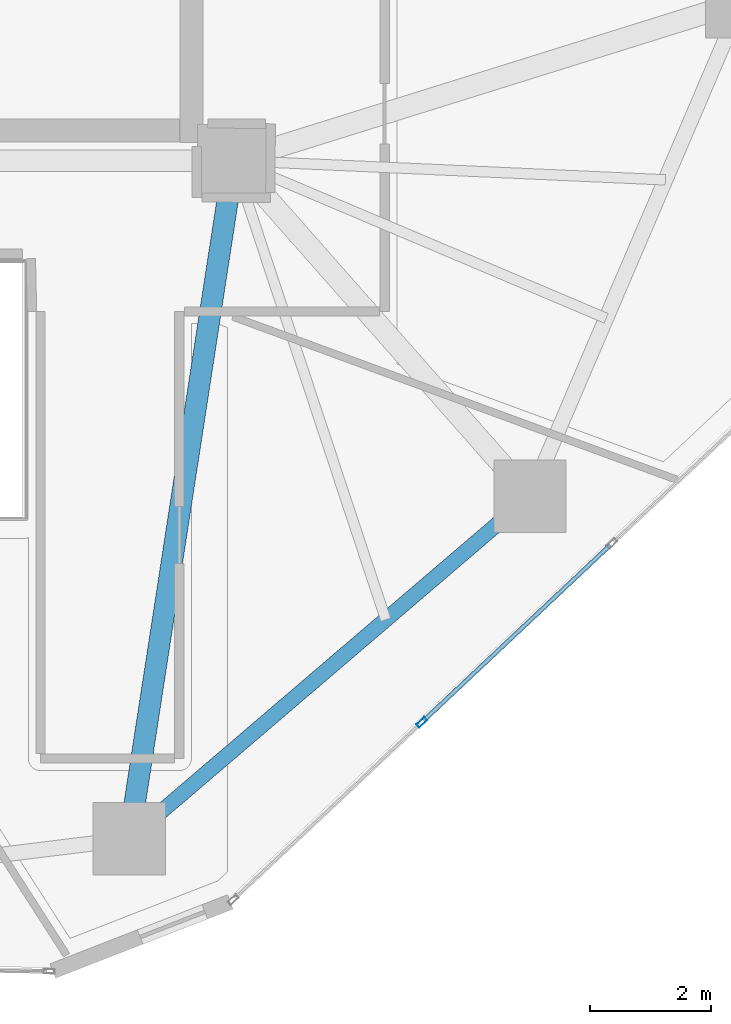
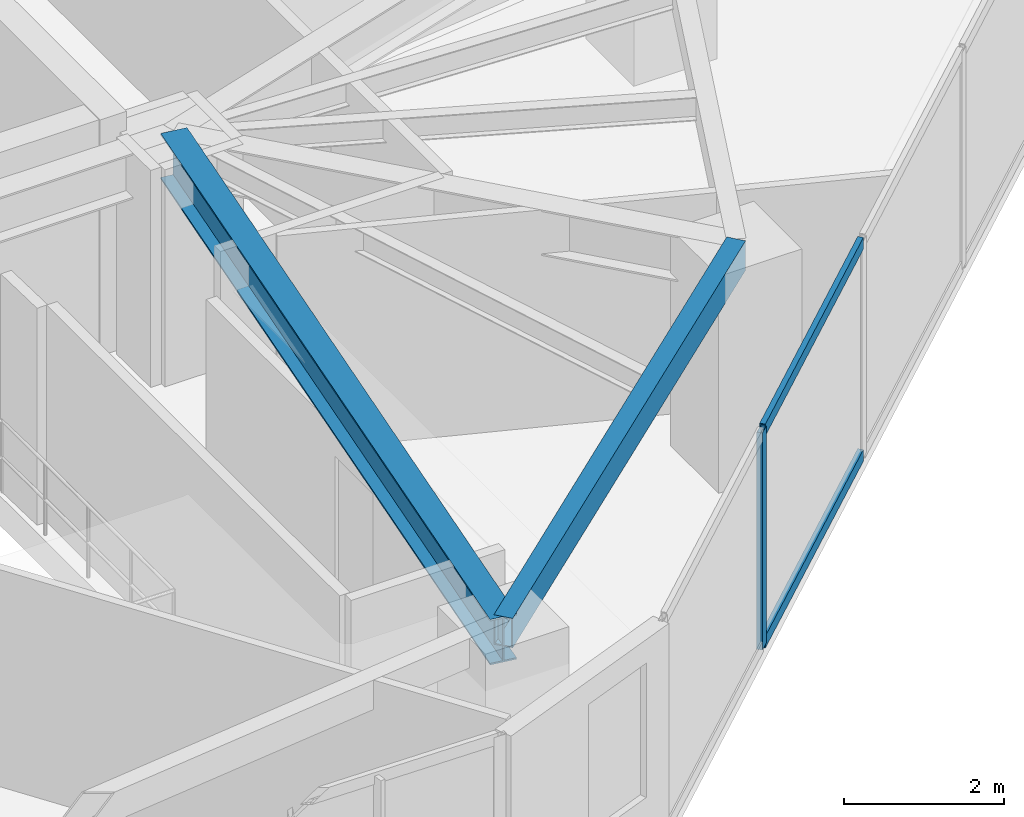
# One storey, part 7 of 22: 3 members, 2 beams, 1 element without a shape of its own.
"""IFC4 building model written with IfcOpenShell, lengths in metres."""

from ifc_helpers import new_model, si_unit, direction, frame, origin, origin_2d, place, context, subcontext, project, spatial, hollow_rectangle, i_section, extrude, source, transform, mapped, material, layer, layer_set, material_profile, profile_set, type_object, type_shapes, element, aggregate, save


model = new_model("IFC4")

# Units and contexts
model_context = context("Model", 3, precision=1e-05, world=origin(), true_north=direction((0.0, 1.0)))
body_context = subcontext(model_context, "Body", "Model", "MODEL_VIEW")
ifc_project = project(units=[si_unit("LENGTHUNIT", "METRE"), si_unit("AREAUNIT", "SQUARE_METRE"), si_unit("VOLUMEUNIT", "CUBIC_METRE"), si_unit("PLANEANGLEUNIT", "RADIAN"), si_unit("MASSUNIT", "GRAM", prefix="KILO")], contexts=[model_context])

# Site, building, storey
site_placement = place(None, origin())
site = spatial("IfcSite", under=ifc_project, at=site_placement, CompositionType="ELEMENT")
building_placement = place(site_placement, origin())
building = spatial("IfcBuilding", under=site, at=building_placement, Name="Talar Marvaseh", CompositionType="ELEMENT")
storey_placement = place(building_placement, frame((0.0, 0.0, 89.39990234375)))
storey = spatial("IfcBuildingStorey", under=building, at=storey_placement, Name="L22", CompositionType="ELEMENT", Elevation=89.39990234375)

# Beams
ifc_material_1 = material(Name="Steel S355", Category="steel")
ifc_material_profile_1 = material_profile(ifc_material_1, hollow_rectangle(XDim=0.25, YDim=0.449951171875, WallThickness=0.01611328125, at=origin_2d()), Name="RHS450x250x16")
ifc_profile_set_1 = profile_set([ifc_material_profile_1], Name="Steel S355")
beam_type_1 = type_object("IfcBeamType", Name="Zone 2 Perimeter Spandrel Beam RHS450x250x16", PredefinedType="SPANDREL", material=ifc_profile_set_1)
beam_1_placement = place(storey_placement, frame((38.2060546875, 19.94091796875, 3.085205078125), z_axis=(-0.76011265597, -0.649791312833, 0.0), x_axis=(0.649791312833, -0.76011265597, 0.0)))
element("IfcBeam", 1, at=beam_1_placement, inside=storey, type_object=beam_type_1, Name="L22 Zone 2 Perimeter Spandrel Beam RHS450x250x16", PredefinedType="SPANDREL", context=body_context, shape_type="SweptSolid", body=[
    extrude(hollow_rectangle(XDim=0.25, YDim=0.449951171875, WallThickness=0.01611328125, at=origin_2d()), origin(), (0.0, 0.0, 1.0), 8.730224609375),
])
ifc_material_profile_2 = material_profile(ifc_material_1, i_section(OverallWidth=0.35498046875, OverallDepth=0.695068359375, WebThickness=0.015380859375, FlangeThickness=0.02490234375, at=origin_2d()), Name="W690x217")
ifc_profile_set_2 = profile_set([ifc_material_profile_2], Name="Steel S355")
beam_type_2 = type_object("IfcBeamType", Name="Zone 2 Radial Floor Girder W690x217", PredefinedType="BEAM", material=ifc_profile_set_2)
beam_2_placement = place(storey_placement, frame((31.570068359375, 14.26806640625, 2.962646484375), z_axis=(0.152228300633, 0.98834535689, 0.0), x_axis=(-0.98834535689, 0.152228300633, 0.0)))
element("IfcBeam", 2, at=beam_2_placement, inside=storey, type_object=beam_type_2, Name="L22 Zone 2 Radial Floor Girder W690x217", PredefinedType="BEAM", context=body_context, shape_type="SweptSolid", body=[
    extrude(i_section(OverallWidth=0.35498046875, OverallDepth=0.695068359375, WebThickness=0.015380859375, FlangeThickness=0.02490234375, at=origin_2d()), origin(), (0.0, 0.0, 1.0), 11.364501953125),
])

# Curtain wall, members
ifc_material_2 = material(Name="Architectural Aluminium", Category="aluminium")
ifc_layer = layer(ifc_material_2, 0.199951171875)
ifc_layer_set = layer_set([ifc_layer], Name="Architectural Aluminium")
curtain_wall_type = type_object("IfcCurtainWallType", Name="Unitised Acoustic Library Curtain Wall Z2", PredefinedType="NOTDEFINED", material=ifc_layer_set)
curtain_wall_placement = place(storey_placement, origin())
curtain_wall = element("IfcCurtainWall", 3, at=curtain_wall_placement, inside=storey, type_object=curtain_wall_type, Name="L22 Unitised Acoustic Library Curtain Wall Z2", PredefinedType="NOTDEFINED")
ifc_material_profile_3 = material_profile(ifc_material_2, hollow_rectangle(XDim=0.074951171875, YDim=0.179931640625, WallThickness=0.0048828125, at=origin_2d()), Name="RHS180x75x5")
ifc_profile_set_3 = profile_set([ifc_material_profile_3], Name="Architectural Aluminium")
member_type_1 = type_object("IfcMemberType", Name="Unitised Curtain Wall Standard Mullion RHS180x75x5", PredefinedType="MULLION", material=ifc_profile_set_3)
shared_shape_1 = source(origin(), body_context, "Body", "SweptSolid", [
    extrude(hollow_rectangle(XDim=0.074951171875, YDim=0.179931640625, WallThickness=0.0048828125, at=origin_2d()), origin(), (0.0, 0.0, 1.0), 3.31005859375),
])
type_shapes(member_type_1, [shared_shape_1])
member_1_placement = place(storey_placement, frame((36.4130859375, 16.198486328125, 0.0), z_axis=(0.0, 0.0, 1.0), x_axis=(0.685069131718, -0.728478060594, 0.0)))
member_1 = element("IfcMember", 4, at=member_1_placement, type_object=member_type_1, Name="CW-Z2 mullion 5", PredefinedType="MULLION", context=body_context, shape_type="MappedRepresentation", body=[
    mapped(shared_shape_1, transform((0.0, 0.0, 0.0), x_axis=(1.0, 0.0, 0.0), y_axis=(0.0, 1.0, 0.0), z_axis=(0.0, 0.0, 1.0), scale=1.0)),
])
ifc_material_profile_4 = material_profile(ifc_material_2, hollow_rectangle(XDim=0.074951171875, YDim=0.179931640625, WallThickness=0.0048828125, at=origin_2d()), Name="RHS180x75x5")
ifc_profile_set_4 = profile_set([ifc_material_profile_4], Name="Architectural Aluminium")
member_type_2 = type_object("IfcMemberType", Name="Unitised Curtain Wall Transom RHS180x75x5", PredefinedType="USERDEFINED", material=ifc_profile_set_4)
shared_shape_2 = source(origin(), body_context, "Body", "SweptSolid", [
    extrude(hollow_rectangle(XDim=0.074951171875, YDim=0.179931640625, WallThickness=0.0048828125, at=origin_2d()), origin(), (0.0, 0.0, 1.0), 4.24853515625),
])
type_shapes(member_type_2, [shared_shape_2])
member_2_placement = place(storey_placement, frame((39.535400390625, 19.134765625, 0.03759765625), z_axis=(-0.728466484532, -0.685081441081, 0.0), x_axis=(0.685081441081, -0.728466484532, 0.0)))
member_2 = element("IfcMember", 5, at=member_2_placement, type_object=member_type_2, Name="CW-Z2 transom 4.1", ObjectType="TRANSOM", PredefinedType="USERDEFINED", context=body_context, shape_type="MappedRepresentation", body=[
    mapped(shared_shape_2, transform((0.0, 0.0, 0.0), x_axis=(1.0, 0.0, 0.0), y_axis=(0.0, 1.0, 0.0), z_axis=(0.0, 0.0, 1.0), scale=1.0)),
])
member_3_placement = place(storey_placement, frame((39.535400390625, 19.134765625, 3.272705078125), z_axis=(-0.728466484532, -0.685081441081, 0.0), x_axis=(0.685081441081, -0.728466484532, 0.0)))
member_3 = element("IfcMember", 6, at=member_3_placement, type_object=member_type_2, Name="CW-Z2 transom 4.2", ObjectType="TRANSOM", PredefinedType="USERDEFINED", context=body_context, shape_type="MappedRepresentation", body=[
    mapped(shared_shape_2, transform((0.0, 0.0, 0.0), x_axis=(1.0, 0.0, 0.0), y_axis=(0.0, 1.0, 0.0), z_axis=(0.0, 0.0, 1.0), scale=1.0)),
])
aggregate(curtain_wall, [member_1, member_2, member_3])

save(model, "model.ifc")
